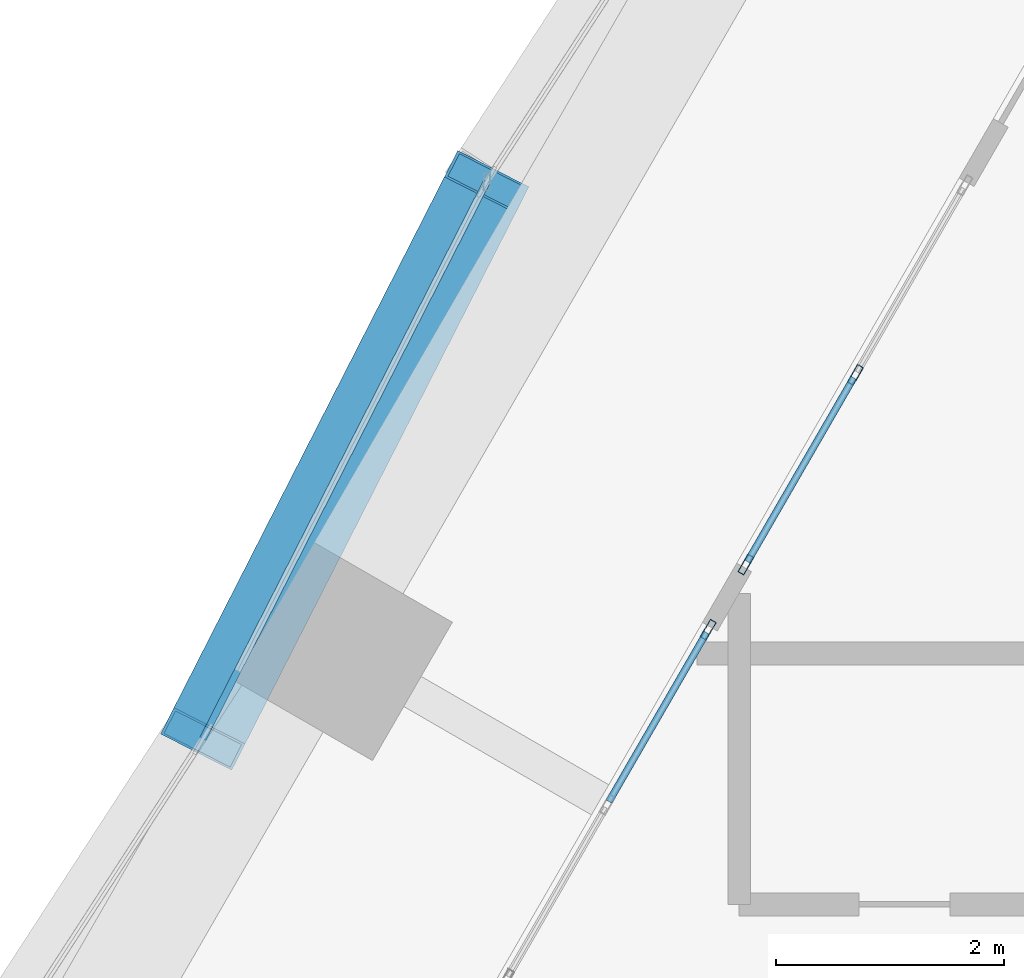
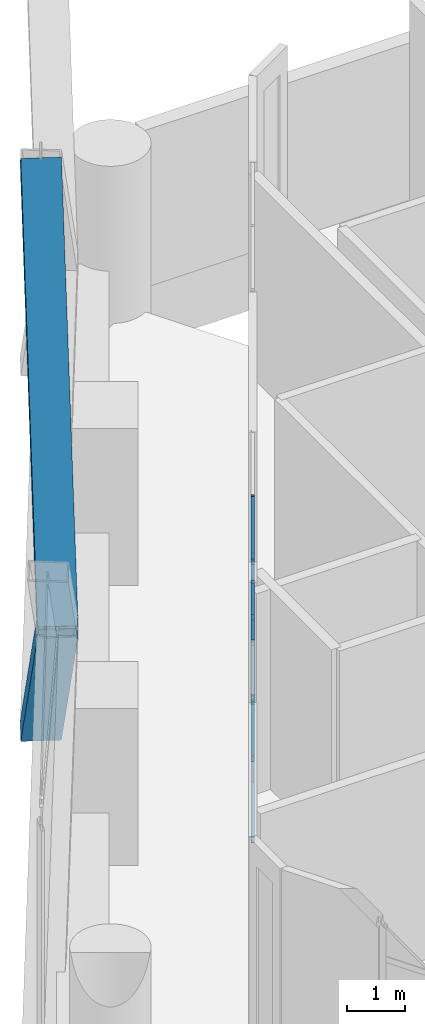
# One storey, part 14 of 46: 12 members, 3 elements without a shape of their own.
"""IFC4 building model written with IfcOpenShell, lengths in metres."""

from ifc_helpers import new_model, si_unit, direction, frame, origin, origin_2d, place, context, subcontext, project, spatial, hollow_rectangle, extrude, material, material_profile, profile_set, type_object, element, aggregate, save


model = new_model("IFC4")

# Units and contexts
model_context = context("Model", 3, precision=1e-05, world=origin(), true_north=direction((0.0, 1.0)))
body_context = subcontext(model_context, "Body", "Model", "MODEL_VIEW")
ifc_project = project(units=[si_unit("LENGTHUNIT", "METRE"), si_unit("AREAUNIT", "SQUARE_METRE"), si_unit("VOLUMEUNIT", "CUBIC_METRE"), si_unit("PLANEANGLEUNIT", "RADIAN"), si_unit("MASSUNIT", "GRAM", prefix="KILO")], contexts=[model_context])

# Site, building, storey
site_placement = place(None, origin())
site = spatial("IfcSite", under=ifc_project, at=site_placement, CompositionType="ELEMENT")
building_placement = place(site_placement, origin())
building = spatial("IfcBuilding", under=site, at=building_placement, Name="Ostrander Bayou Hotel Tower", CompositionType="ELEMENT")
storey_placement = place(building_placement, frame((0.0, 0.0, 23.5)))
storey = spatial("IfcBuildingStorey", under=building, at=storey_placement, Name="L05", CompositionType="ELEMENT", Elevation=23.5)

# Curtain wall, member
ifc_material_1 = material(Name="Aluminium and clear glass", Category="aluminium")
curtain_wall_type_1 = type_object("IfcCurtainWallType", Name="CW-LAT lattice glazing", PredefinedType="NOTDEFINED", material=ifc_material_1)
curtain_wall_1_placement = place(storey_placement, origin())
curtain_wall_1 = element("IfcCurtainWall", 1, at=curtain_wall_1_placement, inside=storey, type_object=curtain_wall_type_1, Name="CW-LAT L05 NW 2", PredefinedType="NOTDEFINED")
ifc_material_2 = material(Name="Aluminium", Category="aluminium")
ifc_material_profile_1 = material_profile(ifc_material_2, hollow_rectangle(XDim=0.06005859375, YDim=0.1201171875, WallThickness=0.00390625, at=origin_2d()))
ifc_profile_set_1 = profile_set([ifc_material_profile_1], Name="Aluminium")
member_type_1 = type_object("IfcMemberType", Name="CW-LA transom 60 x 120 mm", PredefinedType="USERDEFINED", material=ifc_profile_set_1)
member_1_placement = place(storey_placement, frame((-19.11328125, 11.034912109375, 5.39990234375), z_axis=(-0.453987151201, -0.891008230346, 0.0), x_axis=(0.891008230346, -0.453987151201, 0.0)))
member_1 = element("IfcMember", 2, at=member_1_placement, type_object=member_type_1, Name="CW-LAT transom 7", ObjectType="TRANSOM", PredefinedType="USERDEFINED", context=body_context, shape_type="SweptSolid", body=[
    extrude(hollow_rectangle(XDim=0.06005859375, YDim=0.1201171875, WallThickness=0.00390625, at=origin_2d()), origin(), (0.0, 0.0, 1.0), 5.482666015625),
])
aggregate(curtain_wall_1, [member_1])

# Curtain wall, members
ifc_material_3 = material(Name="Aluminium and clear glass", Category="aluminium")
curtain_wall_type_2 = type_object("IfcCurtainWallType", Name="CW-SKY amenity glass wall", PredefinedType="NOTDEFINED", material=ifc_material_3)
curtain_wall_2_placement = place(storey_placement, origin())
curtain_wall_2 = element("IfcCurtainWall", 3, at=curtain_wall_2_placement, inside=storey, type_object=curtain_wall_type_2, Name="CW-SKY L05 NW 3", PredefinedType="NOTDEFINED")
ifc_material_4 = material(Name="Aluminium", Category="aluminium")
ifc_material_profile_2 = material_profile(ifc_material_4, hollow_rectangle(XDim=0.06005859375, YDim=0.179931640625, WallThickness=0.00390625, at=origin_2d()))
ifc_profile_set_2 = profile_set([ifc_material_profile_2], Name="Aluminium")
member_type_2 = type_object("IfcMemberType", Name="CW-SK mullion 60 x 180 mm", PredefinedType="MULLION", material=ifc_profile_set_2)
member_2_placement = place(storey_placement, frame((-15.881591796875, 9.342529296875, 0.0), z_axis=(0.0, 0.0, 1.0), x_axis=(0.866025463091, -0.499999897278, 0.0)))
member_2 = element("IfcMember", 4, at=member_2_placement, type_object=member_type_2, Name="CW-SKY mullion 2", PredefinedType="MULLION", context=body_context, shape_type="SweptSolid", body=[
    extrude(hollow_rectangle(XDim=0.06005859375, YDim=0.179931640625, WallThickness=0.00390625, at=origin_2d()), origin(), (0.0, 0.0, 1.0), 4.199951171875),
])
member_3_placement = place(storey_placement, frame((-16.841552734375, 7.6796875, 0.0), z_axis=(0.0, 0.0, 1.0), x_axis=(0.866025463091, -0.499999897278, 0.0)))
member_3 = element("IfcMember", 5, at=member_3_placement, type_object=member_type_2, Name="CW-SKY mullion 3", PredefinedType="MULLION", context=body_context, shape_type="SweptSolid", body=[
    extrude(hollow_rectangle(XDim=0.06005859375, YDim=0.179931640625, WallThickness=0.00390625, at=origin_2d()), origin(), (0.0, 0.0, 1.0), 4.199951171875),
])

# Curtain wall, member
curtain_wall_3_placement = place(storey_placement, origin())
curtain_wall_3 = element("IfcCurtainWall", 6, at=curtain_wall_3_placement, inside=storey, type_object=curtain_wall_type_2, Name="CW-SKY L05 NW 4", PredefinedType="NOTDEFINED")
member_4_placement = place(storey_placement, frame((-17.17138671875, 7.10791015625, 0.0), z_axis=(0.0, 0.0, 1.0), x_axis=(0.866025997283, -0.499998972029, 0.0)))
member_4 = element("IfcMember", 7, at=member_4_placement, type_object=member_type_2, Name="CW-SKY mullion 1", PredefinedType="MULLION", context=body_context, shape_type="SweptSolid", body=[
    extrude(hollow_rectangle(XDim=0.06005859375, YDim=0.179931640625, WallThickness=0.00390625, at=origin_2d()), origin(), (0.0, 0.0, 1.0), 4.199951171875),
])

# Member
ifc_material_5 = material(Name="Aluminium", Category="aluminium")
ifc_material_profile_3 = material_profile(ifc_material_5, hollow_rectangle(XDim=0.06005859375, YDim=0.1201171875, WallThickness=0.00390625, at=origin_2d()))
ifc_profile_set_3 = profile_set([ifc_material_profile_3], Name="Aluminium")
member_type_3 = type_object("IfcMemberType", Name="CW-SK transom 60 x 120 mm", PredefinedType="USERDEFINED", material=ifc_profile_set_3)
member_5_placement = place(storey_placement, frame((-15.896484375, 9.31640625, 0.030029296875), z_axis=(-0.499964847546, -0.866045698112, 0.0), x_axis=(0.866045698112, -0.499964847546, 0.0)))
member_5 = element("IfcMember", 8, at=member_5_placement, type_object=member_type_3, Name="CW-SKY transom 2.1", ObjectType="TRANSOM", PredefinedType="USERDEFINED", context=body_context, shape_type="SweptSolid", body=[
    extrude(hollow_rectangle(XDim=0.06005859375, YDim=0.1201171875, WallThickness=0.00390625, at=origin_2d()), origin(), (0.0, 0.0, 1.0), 1.860107421875),
])

member_6_placement = place(storey_placement, frame((-15.896484375, 9.31640625, 3.0), z_axis=(-0.499964847546, -0.866045698112, 0.0), x_axis=(0.866045698112, -0.499964847546, 0.0)))
member_6 = element("IfcMember", 9, at=member_6_placement, type_object=member_type_3, Name="CW-SKY transom 2.2", ObjectType="TRANSOM", PredefinedType="USERDEFINED", context=body_context, shape_type="SweptSolid", body=[
    extrude(hollow_rectangle(XDim=0.06005859375, YDim=0.1201171875, WallThickness=0.00390625, at=origin_2d()), origin(), (0.0, 0.0, 1.0), 1.860107421875),
])

member_7_placement = place(storey_placement, frame((-15.896484375, 9.31640625, 4.169921875), z_axis=(-0.499964847546, -0.866045698112, 0.0), x_axis=(0.866045698112, -0.499964847546, 0.0)))
member_7 = element("IfcMember", 10, at=member_7_placement, type_object=member_type_3, Name="CW-SKY transom 2.3", ObjectType="TRANSOM", PredefinedType="USERDEFINED", context=body_context, shape_type="SweptSolid", body=[
    extrude(hollow_rectangle(XDim=0.06005859375, YDim=0.1201171875, WallThickness=0.00390625, at=origin_2d()), origin(), (0.0, 0.0, 1.0), 1.860107421875),
])

aggregate(curtain_wall_2, [member_2, member_3, member_5, member_6, member_7])

member_8_placement = place(storey_placement, frame((-17.1865234375, 7.08203125, 0.030029296875), z_axis=(-0.499977863513, -0.866038183914, 0.0), x_axis=(0.866038183914, -0.499977863513, 0.0)))
member_8 = element("IfcMember", 11, at=member_8_placement, type_object=member_type_3, Name="CW-SKY transom 1.1", ObjectType="TRANSOM", PredefinedType="USERDEFINED", context=body_context, shape_type="SweptSolid", body=[
    extrude(hollow_rectangle(XDim=0.06005859375, YDim=0.1201171875, WallThickness=0.00390625, at=origin_2d()), origin(), (0.0, 0.0, 1.0), 1.7099609375),
])

member_9_placement = place(storey_placement, frame((-17.1865234375, 7.08203125, 3.0), z_axis=(-0.499977863513, -0.866038183914, 0.0), x_axis=(0.866038183914, -0.499977863513, 0.0)))
member_9 = element("IfcMember", 12, at=member_9_placement, type_object=member_type_3, Name="CW-SKY transom 1.2", ObjectType="TRANSOM", PredefinedType="USERDEFINED", context=body_context, shape_type="SweptSolid", body=[
    extrude(hollow_rectangle(XDim=0.06005859375, YDim=0.1201171875, WallThickness=0.00390625, at=origin_2d()), origin(), (0.0, 0.0, 1.0), 1.7099609375),
])

member_10_placement = place(storey_placement, frame((-17.1865234375, 7.08203125, 4.169921875), z_axis=(-0.499977863513, -0.866038183914, 0.0), x_axis=(0.866038183914, -0.499977863513, 0.0)))
member_10 = element("IfcMember", 13, at=member_10_placement, type_object=member_type_3, Name="CW-SKY transom 1.3", ObjectType="TRANSOM", PredefinedType="USERDEFINED", context=body_context, shape_type="SweptSolid", body=[
    extrude(hollow_rectangle(XDim=0.06005859375, YDim=0.1201171875, WallThickness=0.00390625, at=origin_2d()), origin(), (0.0, 0.0, 1.0), 1.7099609375),
])

aggregate(curtain_wall_3, [member_4, member_8, member_9, member_10])

# Members
ifc_material_6 = material(Name="Steel ASTM A572 Gr 50", Category="steel")
ifc_material_profile_4 = material_profile(ifc_material_6, hollow_rectangle(XDim=0.699951171875, YDim=0.35009765625, WallThickness=0.02490234375, at=origin_2d()))
ifc_profile_set_4 = profile_set([ifc_material_profile_4], Name="Steel ASTM A572 Gr 50")
member_type_4 = type_object("IfcMemberType", Name="LT1 lattice member box 700 x 350 x 25 mm", PredefinedType="BRACE", material=ifc_profile_set_4)
for number, where, z_axis, x_axis, name in (
    (14, (-21.602294921875, 6.14990234375, 5.39990234375), (0.306240691735, 0.601036782828, -0.738221798929), (-0.891008230346, 0.453987151201, 0.0), "LT1 L05 NW 5"),
    (15, (-21.602294921875, 6.14990234375, 5.39990234375), (0.306240691735, 0.601036782828, 0.738221798929), (-0.891008230346, 0.453987151201, 0.0), "LT1 L05 NW 6"),
):
    element("IfcMember", number, at=place(storey_placement, frame(where, z_axis=z_axis, x_axis=x_axis)), inside=storey, type_object=member_type_4, Name=name, PredefinedType="BRACE", context=body_context, shape_type="SweptSolid", body=[
        extrude(hollow_rectangle(XDim=0.699951171875, YDim=0.35009765625, WallThickness=0.02490234375, at=origin_2d()), origin(), (0.0, 0.0, 1.0), 8.127685546875),
    ])

save(model, "model.ifc")
